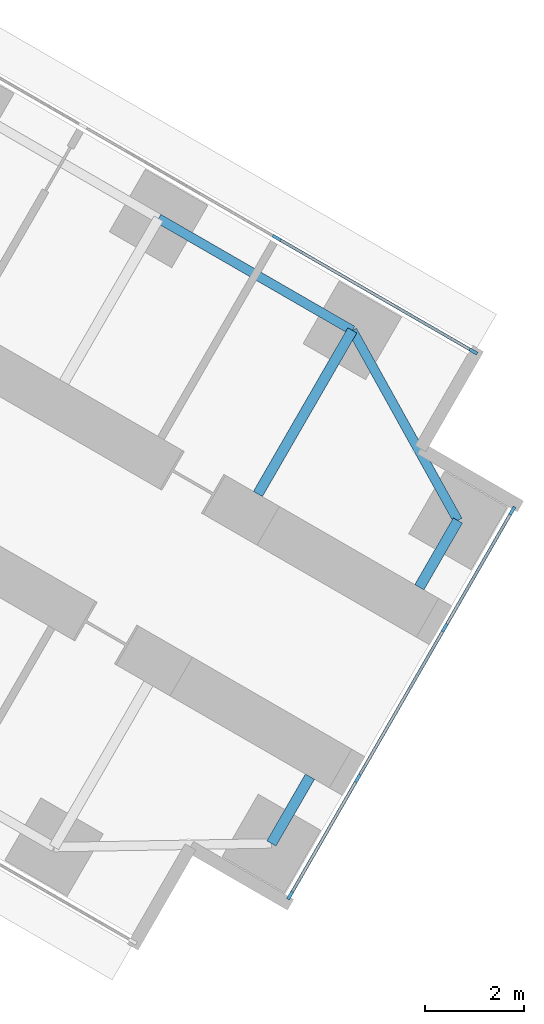
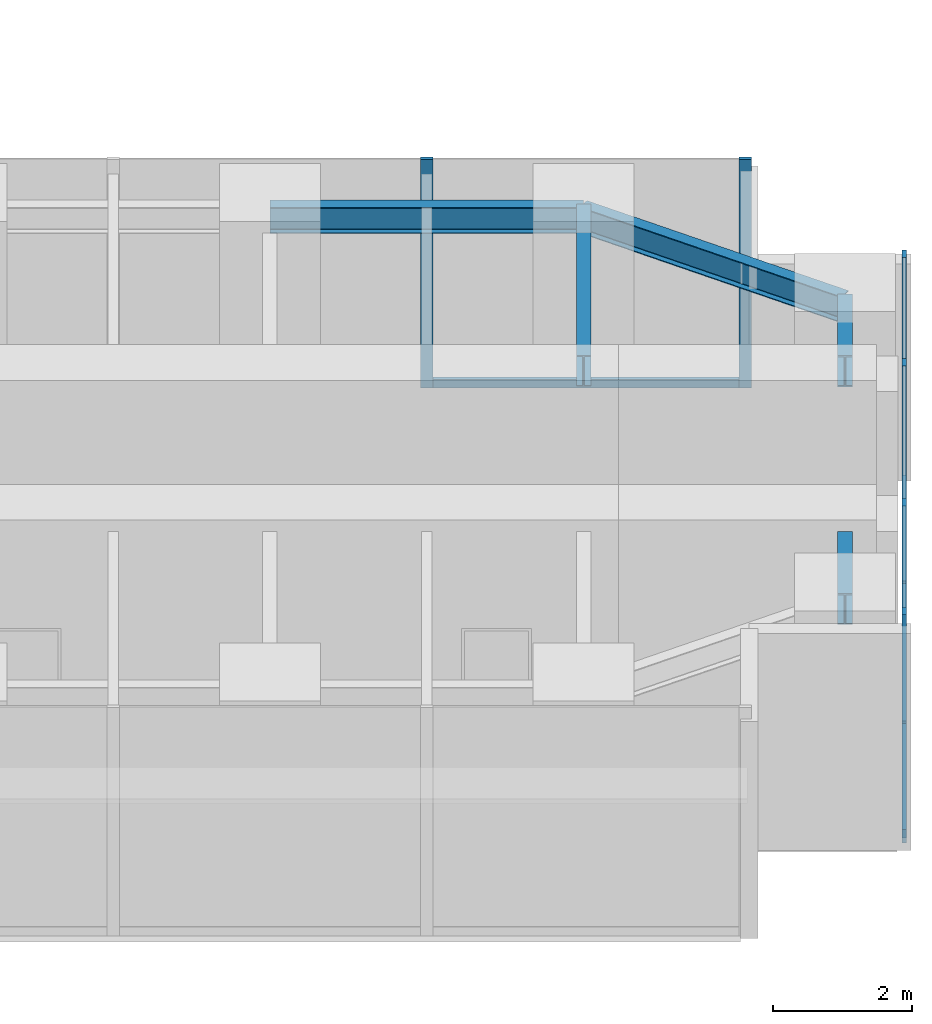
# One storey, part 12 of 24: 10 members, 5 beams, 2 elements without a shape of their own.
"""IFC4 building model written with IfcOpenShell, lengths in metres."""

from ifc_helpers import new_model, si_unit, direction, frame, origin, origin_2d, place, context, subcontext, project, spatial, rectangle, i_section, extrude, material, material_profile, profile_set, type_object, element, aggregate, save


model = new_model("IFC4")

# Units and contexts
model_context = context("Model", 3, precision=1e-05, world=origin(), true_north=direction((0.0, 1.0)))
body_context = subcontext(model_context, "Body", "Model", "MODEL_VIEW")
ifc_project = project(units=[si_unit("LENGTHUNIT", "METRE"), si_unit("AREAUNIT", "SQUARE_METRE"), si_unit("VOLUMEUNIT", "CUBIC_METRE"), si_unit("PLANEANGLEUNIT", "RADIAN"), si_unit("MASSUNIT", "GRAM", prefix="KILO")], contexts=[model_context])

# Site, building, storey
site_placement = place(None, origin())
site = spatial("IfcSite", under=ifc_project, at=site_placement, CompositionType="ELEMENT")
building_placement = place(site_placement, origin())
building = spatial("IfcBuilding", under=site, at=building_placement, Name="Upepo Twin Towers", CompositionType="ELEMENT")
storey_placement = place(building_placement, frame((0.0, 0.0, 60.5)))
storey = spatial("IfcBuildingStorey", under=building, at=storey_placement, Name="L14", CompositionType="ELEMENT", Elevation=60.5)

# Beams
ifc_material_1 = material(Name="Steel S355", Category="steel")
ifc_material_profile_1 = material_profile(ifc_material_1, i_section(OverallWidth=0.1904296875, OverallDepth=0.45703125, WebThickness=0.009033203125, FlangeThickness=0.014404296875, FilletRadius=0.01025390625, at=origin_2d()), Name="UB 457x191x74")
ifc_profile_set_1 = profile_set([ifc_material_profile_1], Name="Steel S355")
beam_type_1 = type_object("IfcBeamType", Name="Beam UB 457x191x74", PredefinedType="BEAM", material=ifc_profile_set_1)
beam_1_placement = place(storey_placement, frame((77.08837890625, -21.803955078125, 3.571533203125), z_axis=(0.866031096941, -0.499990139034, 0.0), x_axis=(0.499990139034, 0.866031096941, 0.0)))
element("IfcBeam", 1, at=beam_1_placement, inside=storey, type_object=beam_type_1, Name="T2 edge beam CL 18.0-22.5", PredefinedType="BEAM", context=body_context, shape_type="SweptSolid", body=[
    extrude(i_section(OverallWidth=0.1904296875, OverallDepth=0.45703125, WebThickness=0.009033203125, FlangeThickness=0.014404296875, FilletRadius=0.01025390625, at=origin_2d()), origin(), (0.0, 0.0, 1.0), 4.5),
])
beam_2_placement = place(storey_placement, frame((80.985595703125, -24.053955078125, 3.571533203125), z_axis=(0.485363242752, -0.874312600038, 0.0), x_axis=(0.874312600038, 0.485363242752, 0.0)))
element("IfcBeam", 2, at=beam_2_placement, inside=storey, type_object=beam_type_1, Name="T2 nose edge beam CL", PredefinedType="BEAM", context=body_context, shape_type="SweptSolid", body=[
    extrude(i_section(OverallWidth=0.1904296875, OverallDepth=0.45703125, WebThickness=0.009033203125, FlangeThickness=0.014404296875, FilletRadius=0.01025390625, at=origin_2d()), origin(), (0.0, 0.0, 1.0), 4.373046875),
])
ifc_material_2 = material(Name="Steel S355", Category="steel")
ifc_material_profile_2 = material_profile(ifc_material_2, i_section(OverallWidth=0.2119140625, OverallDepth=0.54443359375, WebThickness=0.0126953125, FlangeThickness=0.021240234375, FilletRadius=0.0126953125, at=origin_2d()), Name="UB 533x210x122")
ifc_profile_set_2 = profile_set([ifc_material_profile_2], Name="Steel S355")
beam_type_2 = type_object("IfcBeamType", Name="Beam UB 533x210x122", PredefinedType="BEAM", material=ifc_profile_set_2)
for number, where, z_axis, x_axis, name in (
    (3, (83.108154296875, -27.87744140625, 3.52783203125), (-0.499967891604, -0.866043940782, 0.0), (0.866043940782, -0.499967891604, 0.0), "T2 nose beam CL"),
    (4, (79.358154296875, -34.37255859375, 3.52783203125), (0.499967891604, 0.866043940782, 0.0), (-0.866043940782, 0.499967891604, 0.0), "T2 nose beam CR"),
):
    element("IfcBeam", number, at=place(storey_placement, frame(where, z_axis=z_axis, x_axis=x_axis)), inside=storey, type_object=beam_type_2, Name=name, PredefinedType="BEAM", context=body_context, shape_type="SweptSolid", body=[
        extrude(i_section(OverallWidth=0.2119140625, OverallDepth=0.54443359375, WebThickness=0.0126953125, FlangeThickness=0.021240234375, FilletRadius=0.0126953125, at=origin_2d()), origin(), (0.0, 0.0, 1.0), 1.5498046875),
    ])
ifc_material_3 = material(Name="Steel S355", Category="steel")
ifc_material_profile_3 = material_profile(ifc_material_3, i_section(OverallWidth=0.209228515625, OverallDepth=0.533203125, WebThickness=0.010009765625, FlangeThickness=0.015625, FilletRadius=0.0126953125, at=origin_2d()), Name="UB 533x210x92")
ifc_profile_set_3 = profile_set([ifc_material_profile_3], Name="Steel S355")
beam_type_3 = type_object("IfcBeamType", Name="Beam UB 533x210x92", PredefinedType="BEAM", material=ifc_profile_set_3)
beam_3_placement = place(storey_placement, frame((80.985595703125, -24.053955078125, 3.533447265625), z_axis=(-0.499994975061, -0.866028304915, 0.0), x_axis=(0.866028304915, -0.499994975061, 0.0)))
element("IfcBeam", 5, at=beam_3_placement, inside=storey, type_object=beam_type_3, Name="T2 girder CL at 22.5", PredefinedType="BEAM", context=body_context, shape_type="SweptSolid", body=[
    extrude(i_section(OverallWidth=0.209228515625, OverallDepth=0.533203125, WebThickness=0.010009765625, FlangeThickness=0.015625, FilletRadius=0.0126953125, at=origin_2d()), origin(), (0.0, 0.0, 1.0), 3.7998046875),
])

# Curtain wall, members
ifc_material_4 = material(Name="Aluminium and fritted glass", Category="aluminium")
curtain_wall_type = type_object("IfcCurtainWallType", Name="Tower curtain wall TW1, fritted glass", PredefinedType="NOTDEFINED", material=ifc_material_4)
curtain_wall_1_placement = place(storey_placement, origin())
curtain_wall_1 = element("IfcCurtainWall", 6, at=curtain_wall_1_placement, inside=storey, type_object=curtain_wall_type, Name="T2 L14 wing C flank L curtain wall", PredefinedType="NOTDEFINED")
ifc_material_5 = material(Name="Aluminium mullion", Category="aluminium")
ifc_material_profile_4 = material_profile(ifc_material_5, rectangle(XDim=0.06494140625, YDim=0.179931640625, at=origin_2d()), Name="MULLION 65x180")
ifc_profile_set_4 = profile_set([ifc_material_profile_4], Name="Aluminium mullion")
member_type_1 = type_object("IfcMemberType", Name="Mullion 65x180 TW1", PredefinedType="MULLION", material=ifc_profile_set_4)
member_1_placement = place(storey_placement, frame((79.4619140625, -22.192626953125, 0.0), z_axis=(0.0, 0.0, 1.0), x_axis=(0.500000024426, 0.866025389682, 0.0)))
member_1 = element("IfcMember", 7, at=member_1_placement, type_object=member_type_1, Name="T2 L14 wing C flank L curtain wall mullion 3", PredefinedType="MULLION", context=body_context, shape_type="SweptSolid", body=[
    extrude(rectangle(XDim=0.06494140625, YDim=0.179931640625, at=origin_2d()), origin(), (0.0, 0.0, 1.0), 4.0),
])
member_2_placement = place(storey_placement, frame((83.41748046875, -24.4765625, 0.0), z_axis=(0.0, 0.0, 1.0), x_axis=(0.500000024426, 0.866025389682, 0.0)))
member_2 = element("IfcMember", 8, at=member_2_placement, type_object=member_type_1, Name="T2 L14 wing C flank L curtain wall mullion 4", PredefinedType="MULLION", context=body_context, shape_type="SweptSolid", body=[
    extrude(rectangle(XDim=0.06494140625, YDim=0.179931640625, at=origin_2d()), origin(), (0.0, 0.0, 1.0), 4.0),
])

curtain_wall_2_placement = place(storey_placement, origin())
curtain_wall_2 = element("IfcCurtainWall", 9, at=curtain_wall_2_placement, inside=storey, type_object=curtain_wall_type, Name="T2 L14 wing C nose curtain wall", PredefinedType="NOTDEFINED")
member_3_placement = place(storey_placement, frame((79.735595703125, -35.4189453125, 0.0), z_axis=(0.0, 0.0, 1.0), x_axis=(-0.866025386174, 0.500000030502, 0.0)))
member_3 = element("IfcMember", 10, at=member_3_placement, type_object=member_type_1, Name="T2 L14 wing C nose curtain wall mullion 1", PredefinedType="MULLION", context=body_context, shape_type="SweptSolid", body=[
    extrude(rectangle(XDim=0.06494140625, YDim=0.179931640625, at=origin_2d()), origin(), (0.0, 0.0, 1.0), 4.0),
])
member_4_placement = place(storey_placement, frame((81.09423828125, -33.0654296875, 0.0), z_axis=(0.0, 0.0, 1.0), x_axis=(-0.866025386174, 0.500000030502, 0.0)))
member_4 = element("IfcMember", 11, at=member_4_placement, type_object=member_type_1, Name="T2 L14 wing C nose curtain wall mullion 2", PredefinedType="MULLION", context=body_context, shape_type="SweptSolid", body=[
    extrude(rectangle(XDim=0.06494140625, YDim=0.179931640625, at=origin_2d()), origin(), (0.0, 0.0, 1.0), 4.0),
])
member_5_placement = place(storey_placement, frame((82.84423828125, -30.034423828125, 0.0), z_axis=(0.0, 0.0, 1.0), x_axis=(-0.866025386174, 0.500000030502, 0.0)))
member_5 = element("IfcMember", 12, at=member_5_placement, type_object=member_type_1, Name="T2 L14 wing C nose curtain wall mullion 3", PredefinedType="MULLION", context=body_context, shape_type="SweptSolid", body=[
    extrude(rectangle(XDim=0.06494140625, YDim=0.179931640625, at=origin_2d()), origin(), (0.0, 0.0, 1.0), 4.0),
])
member_6_placement = place(storey_placement, frame((84.203125, -27.68115234375, 0.0), z_axis=(0.0, 0.0, 1.0), x_axis=(-0.866025386174, 0.500000030502, 0.0)))
member_6 = element("IfcMember", 13, at=member_6_placement, type_object=member_type_1, Name="T2 L14 wing C nose curtain wall mullion 4", PredefinedType="MULLION", context=body_context, shape_type="SweptSolid", body=[
    extrude(rectangle(XDim=0.06494140625, YDim=0.179931640625, at=origin_2d()), origin(), (0.0, 0.0, 1.0), 4.0),
])

# Member
ifc_material_6 = material(Name="Aluminium transom", Category="aluminium")
ifc_material_profile_5 = material_profile(ifc_material_6, rectangle(XDim=0.06494140625, YDim=0.14990234375, at=origin_2d()), Name="TRANSOM 65x150")
ifc_profile_set_5 = profile_set([ifc_material_profile_5], Name="Aluminium transom")
member_type_2 = type_object("IfcMemberType", Name="Transom 65x150 TW1", PredefinedType="USERDEFINED", material=ifc_profile_set_5)
member_7_placement = place(storey_placement, frame((79.490234375, -22.208984375, 0.074951171875), z_axis=(0.866022143554, -0.500005646842, 0.0), x_axis=(0.500005646842, 0.866022143554, 0.0)))
member_7 = element("IfcMember", 14, at=member_7_placement, type_object=member_type_2, Name="T2 L14 wing C flank L curtain wall transom 3", ObjectType="TRANSOM", PredefinedType="USERDEFINED", context=body_context, shape_type="SweptSolid", body=[
    extrude(rectangle(XDim=0.06494140625, YDim=0.14990234375, at=origin_2d()), origin(), (0.0, 0.0, 1.0), 4.50244140625),
])

aggregate(curtain_wall_1, [member_1, member_2, member_7])

member_8_placement = place(storey_placement, frame((79.751708984375, -35.390869140625, 0.074951171875), z_axis=(0.500049101008, 0.865997053448, 0.0), x_axis=(-0.865997053448, 0.500049101008, 0.0)))
member_8 = element("IfcMember", 15, at=member_8_placement, type_object=member_type_2, Name="T2 L14 wing C nose curtain wall transom 1", ObjectType="TRANSOM", PredefinedType="USERDEFINED", context=body_context, shape_type="SweptSolid", body=[
    extrude(rectangle(XDim=0.06494140625, YDim=0.14990234375, at=origin_2d()), origin(), (0.0, 0.0, 1.0), 2.652587890625),
])

member_9_placement = place(storey_placement, frame((81.110595703125, -33.037353515625, 0.074951171875), z_axis=(0.499999305434, 0.866025804792, 0.0), x_axis=(-0.866025804792, 0.499999305434, 0.0)))
member_9 = element("IfcMember", 16, at=member_9_placement, type_object=member_type_2, Name="T2 L14 wing C nose curtain wall transom 2", ObjectType="TRANSOM", PredefinedType="USERDEFINED", context=body_context, shape_type="SweptSolid", body=[
    extrude(rectangle(XDim=0.06494140625, YDim=0.14990234375, at=origin_2d()), origin(), (0.0, 0.0, 1.0), 3.43505859375),
])

member_10_placement = place(storey_placement, frame((82.860595703125, -30.00634765625, 0.074951171875), z_axis=(0.499980071345, 0.866036909293, 0.0), x_axis=(-0.866036909293, 0.499980071345, 0.0)))
member_10 = element("IfcMember", 17, at=member_10_placement, type_object=member_type_2, Name="T2 L14 wing C nose curtain wall transom 3", ObjectType="TRANSOM", PredefinedType="USERDEFINED", context=body_context, shape_type="SweptSolid", body=[
    extrude(rectangle(XDim=0.06494140625, YDim=0.14990234375, at=origin_2d()), origin(), (0.0, 0.0, 1.0), 2.65234375),
])

aggregate(curtain_wall_2, [member_3, member_4, member_5, member_6, member_8, member_9, member_10])

save(model, "model.ifc")
